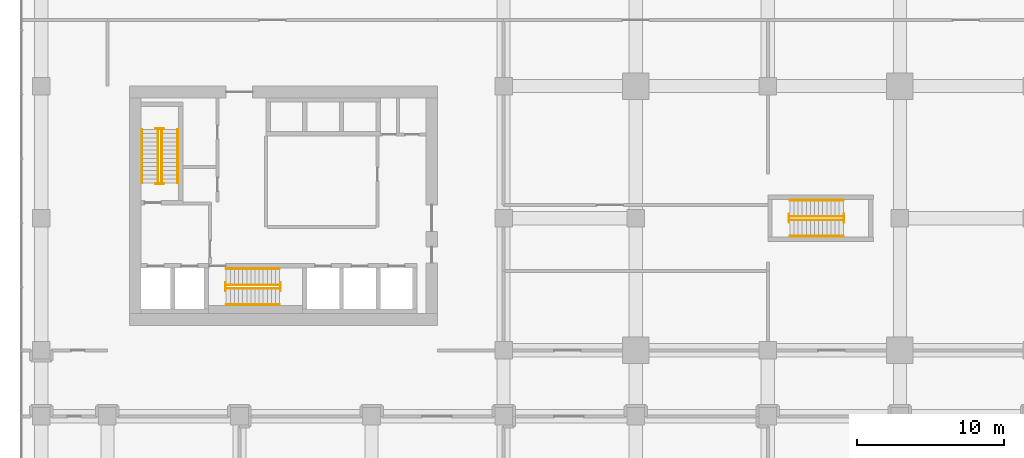
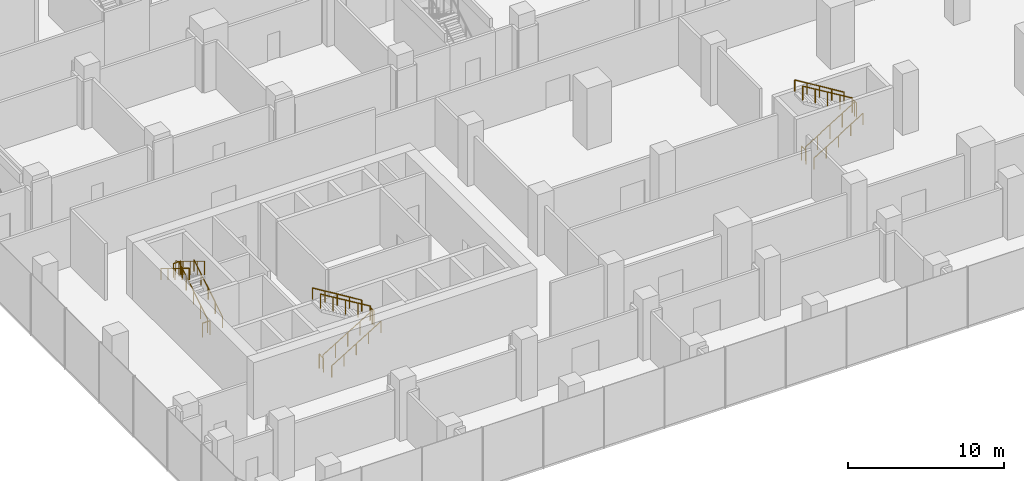
# One storey, part 38 of 42: 18 railings.
"""IFC4 building model written with IfcOpenShell, lengths in metres."""

import ifcopenshell
import ifcopenshell.guid

model = None  # the IFC model being written
_history = None  # IfcOwnerHistory: only IFC2X3 demands one
_inside = {}  # id of a spatial element -> (the spatial element, [elements in it])
_under = {}  # id of a project, library or spatial element -> (it, [spatial elements below it])
_declared = {}  # id of a project -> (the project, [libraries it declares])
_typed = {}  # id of a type object -> (the type object, [elements of that type])
_made_of = {}  # id of a material, layer set ... -> (it, [elements and type objects made of it])


def new_model(schema):
    """Start an empty IFC model of exactly this schema.

    Asked for "IFC4X3", IfcOpenShell would pick the latest addendum, in which some entities
    have other attributes; the version numbers below select the first issue.
    IFC2X3 requires an IfcOwnerHistory on every rooted entity: one is made here for all.
    """
    global model, _history
    if schema == "IFC4X3":
        model = ifcopenshell.file(schema_version=(4, 3, 0, 0))
    else:
        model = ifcopenshell.file(schema=schema)
    _inside.clear()
    _under.clear()
    _declared.clear()
    _typed.clear()
    _made_of.clear()
    _history = None
    if model.schema == "IFC2X3":
        org = make("IfcOrganization", Name="unknown")
        user = make(
            "IfcPersonAndOrganization",
            ThePerson=make("IfcPerson", FamilyName="unknown"),
            TheOrganization=org,
        )
        app = make(
            "IfcApplication",
            ApplicationDeveloper=org,
            Version="unknown",
            ApplicationFullName="unknown",
            ApplicationIdentifier="unknown",
        )
        _history = make(
            "IfcOwnerHistory",
            OwningUser=user,
            OwningApplication=app,
            ChangeAction="ADDED",
            CreationDate=0,
        )
    return model


def make(cls, **values):
    """One entity of the class cls with the attributes given. An attribute that is None is left unset."""
    return model.create_entity(
        cls, **{name: value for name, value in values.items() if value is not None}
    )


def rooted(cls, **values):
    """An entity with a GlobalId (a new one), such as an element, a storey or a relation."""
    return make(cls, GlobalId=ifcopenshell.guid.new(), OwnerHistory=_history, **values)


def si_unit(unit_type, name, prefix=None):
    """IfcSIUnit, for example si_unit("LENGTHUNIT", "METRE", prefix="MILLI")."""
    return make("IfcSIUnit", UnitType=unit_type, Prefix=prefix, Name=name)


def assignment(units):
    """IfcUnitAssignment: the units of a project."""
    return None if units is None else make("IfcUnitAssignment", Units=units)


def point(xyz):
    """IfcCartesianPoint."""
    return None if xyz is None else make("IfcCartesianPoint", Coordinates=xyz)


def direction(xyz):
    """IfcDirection."""
    return None if xyz is None else make("IfcDirection", DirectionRatios=xyz)


def frame(location, z_axis=None, x_axis=None):
    """IfcAxis2Placement3D, a coordinate frame: its origin and axes. An axis left out is left unset."""
    return make(
        "IfcAxis2Placement3D",
        Location=point(location),
        Axis=direction(z_axis),
        RefDirection=direction(x_axis),
    )


def frame_2d(location, x_axis=None):
    """IfcAxis2Placement2D, a coordinate frame in the plane: its origin and x axis."""
    return make(
        "IfcAxis2Placement2D", Location=point(location), RefDirection=direction(x_axis)
    )


def origin():
    """The frame at (0, 0, 0) with its axes left unset."""
    return frame((0.0, 0.0, 0.0))


def origin_2d():
    """The frame at (0, 0) in the plane with its x axis left unset."""
    return frame_2d((0.0, 0.0))


def place(relative_to, where):
    """IfcLocalPlacement: puts the frame where relative to a parent placement (None: the world)."""
    return make(
        "IfcLocalPlacement", PlacementRelTo=relative_to, RelativePlacement=where
    )


def context(
    kind, dimensions, precision=None, world=None, true_north=None, identifier=None
):
    """IfcGeometricRepresentationContext, for example the 3D "Model" context."""
    return make(
        "IfcGeometricRepresentationContext",
        ContextIdentifier=identifier,
        ContextType=kind,
        CoordinateSpaceDimension=dimensions,
        Precision=precision,
        WorldCoordinateSystem=world,
        TrueNorth=true_north,
    )


def subcontext(parent, identifier, kind, view, scale=None):
    """IfcGeometricRepresentationSubContext, for example "Body" below "Model"."""
    return make(
        "IfcGeometricRepresentationSubContext",
        ContextIdentifier=identifier,
        ContextType=kind,
        ParentContext=parent,
        TargetScale=scale,
        TargetView=view,
    )


def project(units=None, contexts=None):
    """IfcProject with its units and contexts."""
    return rooted(
        "IfcProject",
        Name="project",
        RepresentationContexts=contexts,
        UnitsInContext=assignment(units),
    )


def spatial(cls, under=None, at=None, **own):
    """A site, building, storey or space (cls), placed at a placement, below another one or the project."""
    s = rooted(cls, ObjectPlacement=at, **own)
    if under is not None:
        _under.setdefault(under.id(), (under, []))[1].append(s)
    return s


def profile(cls, at=None, kind="AREA", **sizes):
    """A parametric profile (cls). Its sizes go by their IFC names, for example OverallWidth=200.0."""
    return make(cls, ProfileType=kind, Position=at, **sizes)


def circle(**sizes):
    """IfcCircleProfileDef."""
    return profile("IfcCircleProfileDef", **sizes)


def extrude(swept, where, along, depth):
    """IfcExtrudedAreaSolid: the profile swept, set in the frame where, extruded along a direction by depth."""
    return make(
        "IfcExtrudedAreaSolid",
        SweptArea=swept,
        Position=where,
        ExtrudedDirection=direction(along),
        Depth=depth,
    )


def shape(context_of_items, identifier, shape_type, items):
    """IfcShapeRepresentation: the items that make up one representation, for example the "Body"."""
    return make(
        "IfcShapeRepresentation",
        ContextOfItems=context_of_items,
        RepresentationIdentifier=identifier,
        RepresentationType=shape_type,
        Items=items,
    )


def material(Name=None, Category=None):
    """IfcMaterial."""
    return make("IfcMaterial", Name=Name, Category=Category)


def made_of(thing, what):
    """Note that an element or type object is made of a material, layer set ...; save() writes the relation."""
    if what is not None:
        _made_of.setdefault(what.id(), (what, []))[1].append(thing)
    return thing


def type_object(cls, material=None, **own):
    """A type object (cls), such as IfcWallType, which elements share."""
    return made_of(rooted(cls, **own), material)


def element(
    cls,
    number,
    at=None,
    inside=None,
    cuts=None,
    type_object=None,
    material=None,
    context=None,
    identifier="Body",
    shape_type=None,
    held_by="IfcProductDefinitionShape",
    body=None,
    shapes=None,
    **own,
):
    """One element of the class cls, such as IfcWall. Its Tag is "e" and its number.

    at: its placement. inside: the storey or other place that contains it. cuts: it is an
    opening in that element (IfcRelVoidsElement). A single representation is given by context,
    identifier, shape_type and body (its items); several are given by shapes. held_by: the class
    of the entity that holds the representations. save() writes the other relations.
    """
    e = rooted(cls, Tag="e%d" % number, ObjectPlacement=at, **own)
    if body is not None:
        shapes = [shape(context, identifier, shape_type, body)]
    if shapes is not None:
        e.Representation = make(held_by, Representations=shapes)
    if inside is not None:
        _inside.setdefault(inside.id(), (inside, []))[1].append(e)
    if cuts is not None:
        rooted(
            "IfcRelVoidsElement", RelatingBuildingElement=cuts, RelatedOpeningElement=e
        )
    if type_object is not None:
        _typed.setdefault(type_object.id(), (type_object, []))[1].append(e)
    return made_of(e, material)


def aggregate(whole, parts):
    """IfcRelAggregates: a whole, such as a stair, and the parts it consists of."""
    return rooted("IfcRelAggregates", RelatingObject=whole, RelatedObjects=parts)


def save(model, path):
    """Write the relations noted so far, then the file.

    IfcRelAggregates (storeys below a building ...), IfcRelContainedInSpatialStructure (elements
    in a storey), IfcRelDefinesByType, IfcRelAssociatesMaterial and IfcRelDeclares: one each for
    every whole, place, type object, material and project.
    """
    for whole, parts in _under.values():
        aggregate(whole, parts)
    for where, things in _inside.values():
        rooted(
            "IfcRelContainedInSpatialStructure",
            RelatedElements=things,
            RelatingStructure=where,
        )
    for kind, things in _typed.values():
        rooted("IfcRelDefinesByType", RelatedObjects=things, RelatingType=kind)
    for what, things in _made_of.values():
        rooted("IfcRelAssociatesMaterial", RelatedObjects=things, RelatingMaterial=what)
    for by, libraries in _declared.values():
        rooted("IfcRelDeclares", RelatingContext=by, RelatedDefinitions=libraries)
    model.write(path)


model = new_model("IFC4")

# Units and contexts
model_context = context("Model", 3, precision=1e-05, world=origin(), true_north=direction((0.0, 1.0)))
body_context = subcontext(model_context, "Body", "Model", "MODEL_VIEW")
ifc_project = project(units=[si_unit("LENGTHUNIT", "METRE"), si_unit("AREAUNIT", "SQUARE_METRE"), si_unit("VOLUMEUNIT", "CUBIC_METRE"), si_unit("PLANEANGLEUNIT", "RADIAN"), si_unit("MASSUNIT", "GRAM", prefix="KILO")], contexts=[model_context])

# Site, building, storey
site_placement = place(None, origin())
site = spatial("IfcSite", under=ifc_project, at=site_placement, CompositionType="ELEMENT")
building_placement = place(site_placement, origin())
building = spatial("IfcBuilding", under=site, at=building_placement, Name="Plateau Cross Towers", CompositionType="ELEMENT")
storey_placement = place(building_placement, frame((0.0, 0.0, 8.0)))
storey = spatial("IfcBuildingStorey", under=building, at=storey_placement, Name="L01", CompositionType="ELEMENT", Elevation=8.0)

# Railings
ifc_material_1 = material(Name="Stainless steel and toughened glass", Category="steel")
railing_type_1 = type_object("IfcRailingType", Name="RL-GUARD-1100", PredefinedType="GUARDRAIL", material=ifc_material_1)
railing_1_placement = place(storey_placement, frame((3.699951171875, 11.39990234375, 0.17138671875)))
element("IfcRailing", 1, at=railing_1_placement, inside=storey, type_object=railing_type_1, Name="L01 ST-1 stair guard 1", PredefinedType="GUARDRAIL", context=body_context, shape_type="SweptSolid", body=[
    extrude(circle(Radius=0.02392578125, at=origin_2d()), frame((0.0, 0.0, 1.076171875), z_axis=(0.0, 0.852865859571, 0.52213008492), x_axis=(-1.0, 0.0, 0.0)), (0.0, 0.0, 1.0), 4.26806640625),
    extrude(circle(Radius=0.02099609375, at=origin_2d()), origin(), (0.0, 0.0, 1.0), 1.052001953125),
    extrude(circle(Radius=0.02099609375, at=origin_2d()), frame((0.0, 0.91015625, 0.55712890625)), (0.0, 0.0, 1.0), 1.052001953125),
    extrude(circle(Radius=0.02099609375, at=origin_2d()), frame((0.0, 1.820068359375, 1.1142578125)), (0.0, 0.0, 1.0), 1.052001953125),
    extrude(circle(Radius=0.02099609375, at=origin_2d()), frame((0.0, 2.72998046875, 1.67138671875)), (0.0, 0.0, 1.0), 1.052001953125),
    extrude(circle(Radius=0.02099609375, at=origin_2d()), frame((0.0, 3.64013671875, 2.228515625)), (0.0, 0.0, 1.0), 1.052001953125),
])
railing_2_placement = place(storey_placement, frame((3.85009765625, 15.090087890625, 2.39990234375)))
element("IfcRailing", 2, at=railing_2_placement, inside=storey, type_object=railing_type_1, Name="L01 ST-1 stair guard 2", PredefinedType="GUARDRAIL", context=body_context, shape_type="SweptSolid", body=[
    extrude(circle(Radius=0.02392578125, at=origin_2d()), frame((0.0, 0.0, 1.076171875), z_axis=(-1.0, 0.0, 0.0), x_axis=(0.0, -1.0, 0.0)), (0.0, 0.0, 1.0), 0.550048828125),
    extrude(circle(Radius=0.02099609375, at=origin_2d()), origin(), (0.0, 0.0, 1.0), 1.052001953125),
    extrude(circle(Radius=0.02099609375, at=origin_2d()), frame((-0.550048828125, 0.0, 0.0)), (0.0, 0.0, 1.0), 1.052001953125),
])
railing_3_placement = place(storey_placement, frame((3.449951171875, 15.0400390625, 2.571533203125)))
element("IfcRailing", 3, at=railing_3_placement, inside=storey, type_object=railing_type_1, Name="L01 ST-1 stair guard 3", PredefinedType="GUARDRAIL", context=body_context, shape_type="SweptSolid", body=[
    extrude(circle(Radius=0.02392578125, at=origin_2d()), frame((0.0, 0.0, 1.076171875), z_axis=(0.0, -0.856000133688, 0.516975600126), x_axis=(1.0, 0.0, 0.0)), (0.0, 0.0, 1.0), 4.310791015625),
    extrude(circle(Radius=0.02099609375, at=origin_2d()), origin(), (0.0, 0.0, 1.0), 1.052001953125),
    extrude(circle(Radius=0.02099609375, at=origin_2d()), frame((0.0, -0.92236328125, 0.55712890625)), (0.0, 0.0, 1.0), 1.052001953125),
    extrude(circle(Radius=0.02099609375, at=origin_2d()), frame((0.0, -1.844970703125, 1.1142578125)), (0.0, 0.0, 1.0), 1.052001953125),
    extrude(circle(Radius=0.02099609375, at=origin_2d()), frame((0.0, -2.767578125, 1.67138671875)), (0.0, 0.0, 1.0), 1.052001953125),
    extrude(circle(Radius=0.02099609375, at=origin_2d()), frame((0.0, -3.68994140625, 2.228515625)), (0.0, 0.0, 1.0), 1.052001953125),
])
railing_4_placement = place(storey_placement, frame((3.85009765625, 11.35009765625, 0.0)))
element("IfcRailing", 4, at=railing_4_placement, inside=storey, type_object=railing_type_1, Name="L01 ST-1 stair guard 4", PredefinedType="GUARDRAIL", context=body_context, shape_type="SweptSolid", body=[
    extrude(circle(Radius=0.02392578125, at=origin_2d()), frame((0.0, 0.0, 1.076171875), z_axis=(-1.0, 0.0, 0.0), x_axis=(0.0, -1.0, 0.0)), (0.0, 0.0, 1.0), 0.550048828125),
    extrude(circle(Radius=0.02099609375, at=origin_2d()), origin(), (0.0, 0.0, 1.0), 1.052001953125),
    extrude(circle(Radius=0.02099609375, at=origin_2d()), frame((-0.550048828125, 0.0, 0.0)), (0.0, 0.0, 1.0), 1.052001953125),
])
railing_5_placement = place(storey_placement, frame((8.10009765625, 4.199951171875, 0.17138671875)))
element("IfcRailing", 5, at=railing_5_placement, inside=storey, type_object=railing_type_1, Name="L01 ST-2 stair guard 1", PredefinedType="GUARDRAIL", context=body_context, shape_type="SweptSolid", body=[
    extrude(circle(Radius=0.02392578125, at=origin_2d()), frame((0.0, 0.0, 1.076171875), z_axis=(0.852850264322, 0.0, 0.5221555579), x_axis=(0.0, 1.0, 0.0)), (0.0, 0.0, 1.0), 4.267822265625),
    extrude(circle(Radius=0.02099609375, at=origin_2d()), origin(), (0.0, 0.0, 1.0), 1.052001953125),
    extrude(circle(Radius=0.02099609375, at=origin_2d()), frame((0.909912109375, 0.0, 0.55712890625)), (0.0, 0.0, 1.0), 1.052001953125),
    extrude(circle(Radius=0.02099609375, at=origin_2d()), frame((1.81982421875, 0.0, 1.1142578125)), (0.0, 0.0, 1.0), 1.052001953125),
    extrude(circle(Radius=0.02099609375, at=origin_2d()), frame((2.72998046875, 0.0, 1.67138671875)), (0.0, 0.0, 1.0), 1.052001953125),
    extrude(circle(Radius=0.02099609375, at=origin_2d()), frame((3.639892578125, 0.0, 2.228515625)), (0.0, 0.0, 1.0), 1.052001953125),
])
railing_6_placement = place(storey_placement, frame((11.7900390625, 4.050048828125, 2.39990234375)))
element("IfcRailing", 6, at=railing_6_placement, inside=storey, type_object=railing_type_1, Name="L01 ST-2 stair guard 2", PredefinedType="GUARDRAIL", context=body_context, shape_type="SweptSolid", body=[
    extrude(circle(Radius=0.02392578125, at=origin_2d()), frame((0.0, 0.0, 1.076171875), z_axis=(0.0, 1.0, 0.0), x_axis=(-1.0, 0.0, 0.0)), (0.0, 0.0, 1.0), 0.550048828125),
    extrude(circle(Radius=0.02099609375, at=origin_2d()), origin(), (0.0, 0.0, 1.0), 1.052001953125),
    extrude(circle(Radius=0.02099609375, at=origin_2d()), frame((0.0, 0.550048828125, 0.0)), (0.0, 0.0, 1.0), 1.052001953125),
])
railing_7_placement = place(storey_placement, frame((11.739990234375, 4.449951171875, 2.571533203125)))
element("IfcRailing", 7, at=railing_7_placement, inside=storey, type_object=railing_type_1, Name="L01 ST-2 stair guard 3", PredefinedType="GUARDRAIL", context=body_context, shape_type="SweptSolid", body=[
    extrude(circle(Radius=0.02392578125, at=origin_2d()), frame((0.0, 0.0, 1.076171875), z_axis=(-0.856000133688, 0.0, 0.516975600126), x_axis=(0.0, -1.0, 0.0)), (0.0, 0.0, 1.0), 4.310791015625),
    extrude(circle(Radius=0.02099609375, at=origin_2d()), origin(), (0.0, 0.0, 1.0), 1.052001953125),
    extrude(circle(Radius=0.02099609375, at=origin_2d()), frame((-0.92236328125, 0.0, 0.55712890625)), (0.0, 0.0, 1.0), 1.052001953125),
    extrude(circle(Radius=0.02099609375, at=origin_2d()), frame((-1.844970703125, 0.0, 1.1142578125)), (0.0, 0.0, 1.0), 1.052001953125),
    extrude(circle(Radius=0.02099609375, at=origin_2d()), frame((-2.767578125, 0.0, 1.67138671875)), (0.0, 0.0, 1.0), 1.052001953125),
    extrude(circle(Radius=0.02099609375, at=origin_2d()), frame((-3.68994140625, 0.0, 2.228515625)), (0.0, 0.0, 1.0), 1.052001953125),
])
railing_8_placement = place(storey_placement, frame((8.050048828125, 4.050048828125, 0.0)))
element("IfcRailing", 8, at=railing_8_placement, inside=storey, type_object=railing_type_1, Name="L01 ST-2 stair guard 4", PredefinedType="GUARDRAIL", context=body_context, shape_type="SweptSolid", body=[
    extrude(circle(Radius=0.02392578125, at=origin_2d()), frame((0.0, 0.0, 1.076171875), z_axis=(0.0, 1.0, 0.0), x_axis=(-1.0, 0.0, 0.0)), (0.0, 0.0, 1.0), 0.550048828125),
    extrude(circle(Radius=0.02099609375, at=origin_2d()), origin(), (0.0, 0.0, 1.0), 1.052001953125),
    extrude(circle(Radius=0.02099609375, at=origin_2d()), frame((0.0, 0.550048828125, 0.0)), (0.0, 0.0, 1.0), 1.052001953125),
])
railing_9_placement = place(storey_placement, frame((46.5, 8.875, 0.17138671875)))
element("IfcRailing", 9, at=railing_9_placement, inside=storey, type_object=railing_type_1, Name="L01 ES-E stair guard 1", PredefinedType="GUARDRAIL", context=body_context, shape_type="SweptSolid", body=[
    extrude(circle(Radius=0.02392578125, at=origin_2d()), frame((0.0, 0.0, 1.076171875), z_axis=(0.852850264322, 0.0, 0.5221555579), x_axis=(0.0, 1.0, 0.0)), (0.0, 0.0, 1.0), 4.267822265625),
    extrude(circle(Radius=0.02099609375, at=origin_2d()), origin(), (0.0, 0.0, 1.0), 1.052001953125),
    extrude(circle(Radius=0.02099609375, at=origin_2d()), frame((0.909912109375, 0.0, 0.55712890625)), (0.0, 0.0, 1.0), 1.052001953125),
    extrude(circle(Radius=0.02099609375, at=origin_2d()), frame((1.81982421875, 0.0, 1.1142578125)), (0.0, 0.0, 1.0), 1.052001953125),
    extrude(circle(Radius=0.02099609375, at=origin_2d()), frame((2.72998046875, 0.0, 1.67138671875)), (0.0, 0.0, 1.0), 1.052001953125),
    extrude(circle(Radius=0.02099609375, at=origin_2d()), frame((3.639892578125, 0.0, 2.228515625)), (0.0, 0.0, 1.0), 1.052001953125),
])
railing_10_placement = place(storey_placement, frame((50.18994140625, 8.72509765625, 2.39990234375)))
element("IfcRailing", 10, at=railing_10_placement, inside=storey, type_object=railing_type_1, Name="L01 ES-E stair guard 2", PredefinedType="GUARDRAIL", context=body_context, shape_type="SweptSolid", body=[
    extrude(circle(Radius=0.02392578125, at=origin_2d()), frame((0.0, 0.0, 1.076171875), z_axis=(0.0, 1.0, 0.0), x_axis=(-1.0, 0.0, 0.0)), (0.0, 0.0, 1.0), 0.5498046875),
    extrude(circle(Radius=0.02099609375, at=origin_2d()), origin(), (0.0, 0.0, 1.0), 1.052001953125),
    extrude(circle(Radius=0.02099609375, at=origin_2d()), frame((0.0, 0.5498046875, 0.0)), (0.0, 0.0, 1.0), 1.052001953125),
])
railing_11_placement = place(storey_placement, frame((50.139892578125, 9.125, 2.571533203125)))
element("IfcRailing", 11, at=railing_11_placement, inside=storey, type_object=railing_type_1, Name="L01 ES-E stair guard 3", PredefinedType="GUARDRAIL", context=body_context, shape_type="SweptSolid", body=[
    extrude(circle(Radius=0.02392578125, at=origin_2d()), frame((0.0, 0.0, 1.076171875), z_axis=(-0.856000133688, 0.0, 0.516975600126), x_axis=(0.0, -1.0, 0.0)), (0.0, 0.0, 1.0), 4.310791015625),
    extrude(circle(Radius=0.02099609375, at=origin_2d()), origin(), (0.0, 0.0, 1.0), 1.052001953125),
    extrude(circle(Radius=0.02099609375, at=origin_2d()), frame((-0.92236328125, 0.0, 0.55712890625)), (0.0, 0.0, 1.0), 1.052001953125),
    extrude(circle(Radius=0.02099609375, at=origin_2d()), frame((-1.844970703125, 0.0, 1.1142578125)), (0.0, 0.0, 1.0), 1.052001953125),
    extrude(circle(Radius=0.02099609375, at=origin_2d()), frame((-2.767578125, 0.0, 1.67138671875)), (0.0, 0.0, 1.0), 1.052001953125),
    extrude(circle(Radius=0.02099609375, at=origin_2d()), frame((-3.68994140625, 0.0, 2.228515625)), (0.0, 0.0, 1.0), 1.052001953125),
])
railing_12_placement = place(storey_placement, frame((46.449951171875, 8.72509765625, 0.0)))
element("IfcRailing", 12, at=railing_12_placement, inside=storey, type_object=railing_type_1, Name="L01 ES-E stair guard 4", PredefinedType="GUARDRAIL", context=body_context, shape_type="SweptSolid", body=[
    extrude(circle(Radius=0.02392578125, at=origin_2d()), frame((0.0, 0.0, 1.076171875), z_axis=(0.0, 1.0, 0.0), x_axis=(-1.0, 0.0, 0.0)), (0.0, 0.0, 1.0), 0.5498046875),
    extrude(circle(Radius=0.02099609375, at=origin_2d()), origin(), (0.0, 0.0, 1.0), 1.052001953125),
    extrude(circle(Radius=0.02099609375, at=origin_2d()), frame((0.0, 0.5498046875, 0.0)), (0.0, 0.0, 1.0), 1.052001953125),
])
ifc_material_2 = material(Name="Black anodised aluminium", Category="aluminium")
railing_type_2 = type_object("IfcRailingType", Name="RL-HANDRAIL-900", PredefinedType="HANDRAIL", material=ifc_material_2)
railing_13_placement = place(storey_placement, frame((4.800048828125, 11.39990234375, 0.17138671875)))
element("IfcRailing", 13, at=railing_13_placement, inside=storey, type_object=railing_type_2, Name="L01 ST-1 stair handrail 1", PredefinedType="HANDRAIL", context=body_context, shape_type="SweptSolid", body=[
    extrude(circle(Radius=0.02392578125, at=origin_2d()), frame((0.0, 0.0, 0.8759765625), z_axis=(0.0, 0.852865859571, 0.52213008492), x_axis=(-1.0, 0.0, 0.0)), (0.0, 0.0, 1.0), 4.26806640625),
    extrude(circle(Radius=0.02099609375, at=origin_2d()), origin(), (0.0, 0.0, 1.0), 0.851806640625),
    extrude(circle(Radius=0.02099609375, at=origin_2d()), frame((0.0, 0.91015625, 0.55712890625)), (0.0, 0.0, 1.0), 0.851806640625),
    extrude(circle(Radius=0.02099609375, at=origin_2d()), frame((0.0, 1.820068359375, 1.1142578125)), (0.0, 0.0, 1.0), 0.851806640625),
    extrude(circle(Radius=0.02099609375, at=origin_2d()), frame((0.0, 2.72998046875, 1.67138671875)), (0.0, 0.0, 1.0), 0.851806640625),
    extrude(circle(Radius=0.02099609375, at=origin_2d()), frame((0.0, 3.64013671875, 2.228515625)), (0.0, 0.0, 1.0), 0.851806640625),
])
railing_14_placement = place(storey_placement, frame((2.35009765625, 15.0400390625, 2.571533203125)))
element("IfcRailing", 14, at=railing_14_placement, inside=storey, type_object=railing_type_2, Name="L01 ST-1 stair handrail 2", PredefinedType="HANDRAIL", context=body_context, shape_type="SweptSolid", body=[
    extrude(circle(Radius=0.02392578125, at=origin_2d()), frame((0.0, 0.0, 0.8759765625), z_axis=(0.0, -0.852865859571, 0.52213008492), x_axis=(1.0, 0.0, 0.0)), (0.0, 0.0, 1.0), 4.26806640625),
    extrude(circle(Radius=0.02099609375, at=origin_2d()), origin(), (0.0, 0.0, 1.0), 0.851806640625),
    extrude(circle(Radius=0.02099609375, at=origin_2d()), frame((0.0, -0.91015625, 0.55712890625)), (0.0, 0.0, 1.0), 0.851806640625),
    extrude(circle(Radius=0.02099609375, at=origin_2d()), frame((0.0, -1.820068359375, 1.1142578125)), (0.0, 0.0, 1.0), 0.851806640625),
    extrude(circle(Radius=0.02099609375, at=origin_2d()), frame((0.0, -2.72998046875, 1.67138671875)), (0.0, 0.0, 1.0), 0.851806640625),
    extrude(circle(Radius=0.02099609375, at=origin_2d()), frame((0.0, -3.64013671875, 2.228515625)), (0.0, 0.0, 1.0), 0.851806640625),
])
railing_15_placement = place(storey_placement, frame((8.10009765625, 3.10009765625, 0.17138671875)))
element("IfcRailing", 15, at=railing_15_placement, inside=storey, type_object=railing_type_2, Name="L01 ST-2 stair handrail 1", PredefinedType="HANDRAIL", context=body_context, shape_type="SweptSolid", body=[
    extrude(circle(Radius=0.02392578125, at=origin_2d()), frame((0.0, 0.0, 0.8759765625), z_axis=(0.852850264322, 0.0, 0.5221555579), x_axis=(0.0, 1.0, 0.0)), (0.0, 0.0, 1.0), 4.267822265625),
    extrude(circle(Radius=0.02099609375, at=origin_2d()), origin(), (0.0, 0.0, 1.0), 0.851806640625),
    extrude(circle(Radius=0.02099609375, at=origin_2d()), frame((0.909912109375, 0.0, 0.55712890625)), (0.0, 0.0, 1.0), 0.851806640625),
    extrude(circle(Radius=0.02099609375, at=origin_2d()), frame((1.81982421875, 0.0, 1.1142578125)), (0.0, 0.0, 1.0), 0.851806640625),
    extrude(circle(Radius=0.02099609375, at=origin_2d()), frame((2.72998046875, 0.0, 1.67138671875)), (0.0, 0.0, 1.0), 0.851806640625),
    extrude(circle(Radius=0.02099609375, at=origin_2d()), frame((3.639892578125, 0.0, 2.228515625)), (0.0, 0.0, 1.0), 0.851806640625),
])
railing_16_placement = place(storey_placement, frame((11.739990234375, 5.550048828125, 2.571533203125)))
element("IfcRailing", 16, at=railing_16_placement, inside=storey, type_object=railing_type_2, Name="L01 ST-2 stair handrail 2", PredefinedType="HANDRAIL", context=body_context, shape_type="SweptSolid", body=[
    extrude(circle(Radius=0.02392578125, at=origin_2d()), frame((0.0, 0.0, 0.8759765625), z_axis=(-0.852850264322, 0.0, 0.5221555579), x_axis=(0.0, -1.0, 0.0)), (0.0, 0.0, 1.0), 4.267822265625),
    extrude(circle(Radius=0.02099609375, at=origin_2d()), origin(), (0.0, 0.0, 1.0), 0.851806640625),
    extrude(circle(Radius=0.02099609375, at=origin_2d()), frame((-0.909912109375, 0.0, 0.55712890625)), (0.0, 0.0, 1.0), 0.851806640625),
    extrude(circle(Radius=0.02099609375, at=origin_2d()), frame((-1.81982421875, 0.0, 1.1142578125)), (0.0, 0.0, 1.0), 0.851806640625),
    extrude(circle(Radius=0.02099609375, at=origin_2d()), frame((-2.72998046875, 0.0, 1.67138671875)), (0.0, 0.0, 1.0), 0.851806640625),
    extrude(circle(Radius=0.02099609375, at=origin_2d()), frame((-3.639892578125, 0.0, 2.228515625)), (0.0, 0.0, 1.0), 0.851806640625),
])
railing_17_placement = place(storey_placement, frame((46.5, 7.77490234375, 0.17138671875)))
element("IfcRailing", 17, at=railing_17_placement, inside=storey, type_object=railing_type_2, Name="L01 ES-E stair handrail 1", PredefinedType="HANDRAIL", context=body_context, shape_type="SweptSolid", body=[
    extrude(circle(Radius=0.02392578125, at=origin_2d()), frame((0.0, 0.0, 0.8759765625), z_axis=(0.852850264322, 0.0, 0.5221555579), x_axis=(0.0, 1.0, 0.0)), (0.0, 0.0, 1.0), 4.267822265625),
    extrude(circle(Radius=0.02099609375, at=origin_2d()), origin(), (0.0, 0.0, 1.0), 0.851806640625),
    extrude(circle(Radius=0.02099609375, at=origin_2d()), frame((0.909912109375, 0.0, 0.55712890625)), (0.0, 0.0, 1.0), 0.851806640625),
    extrude(circle(Radius=0.02099609375, at=origin_2d()), frame((1.81982421875, 0.0, 1.1142578125)), (0.0, 0.0, 1.0), 0.851806640625),
    extrude(circle(Radius=0.02099609375, at=origin_2d()), frame((2.72998046875, 0.0, 1.67138671875)), (0.0, 0.0, 1.0), 0.851806640625),
    extrude(circle(Radius=0.02099609375, at=origin_2d()), frame((3.639892578125, 0.0, 2.228515625)), (0.0, 0.0, 1.0), 0.851806640625),
])
railing_18_placement = place(storey_placement, frame((50.139892578125, 10.22509765625, 2.571533203125)))
element("IfcRailing", 18, at=railing_18_placement, inside=storey, type_object=railing_type_2, Name="L01 ES-E stair handrail 2", PredefinedType="HANDRAIL", context=body_context, shape_type="SweptSolid", body=[
    extrude(circle(Radius=0.02392578125, at=origin_2d()), frame((0.0, 0.0, 0.8759765625), z_axis=(-0.852850264322, 0.0, 0.5221555579), x_axis=(0.0, -1.0, 0.0)), (0.0, 0.0, 1.0), 4.267822265625),
    extrude(circle(Radius=0.02099609375, at=origin_2d()), origin(), (0.0, 0.0, 1.0), 0.851806640625),
    extrude(circle(Radius=0.02099609375, at=origin_2d()), frame((-0.909912109375, 0.0, 0.55712890625)), (0.0, 0.0, 1.0), 0.851806640625),
    extrude(circle(Radius=0.02099609375, at=origin_2d()), frame((-1.81982421875, 0.0, 1.1142578125)), (0.0, 0.0, 1.0), 0.851806640625),
    extrude(circle(Radius=0.02099609375, at=origin_2d()), frame((-2.72998046875, 0.0, 1.67138671875)), (0.0, 0.0, 1.0), 0.851806640625),
    extrude(circle(Radius=0.02099609375, at=origin_2d()), frame((-3.639892578125, 0.0, 2.228515625)), (0.0, 0.0, 1.0), 0.851806640625),
])

save(model, "model.ifc")
